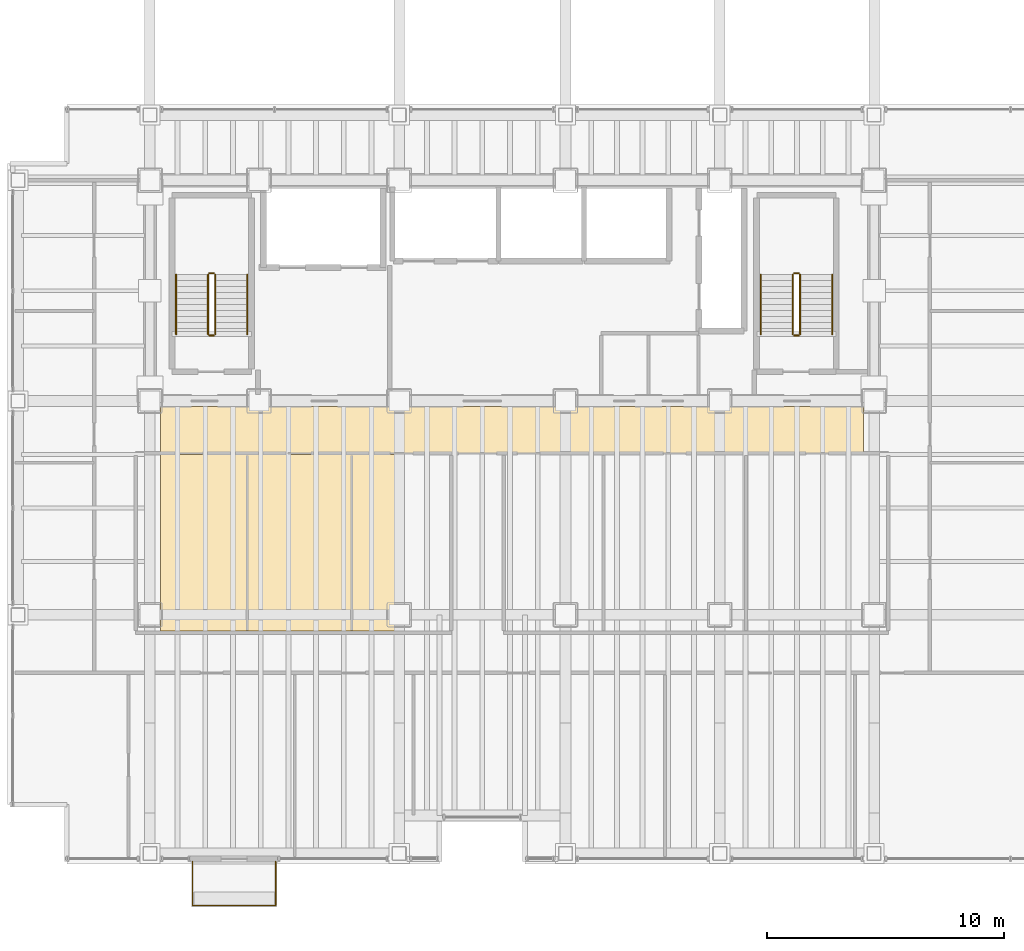
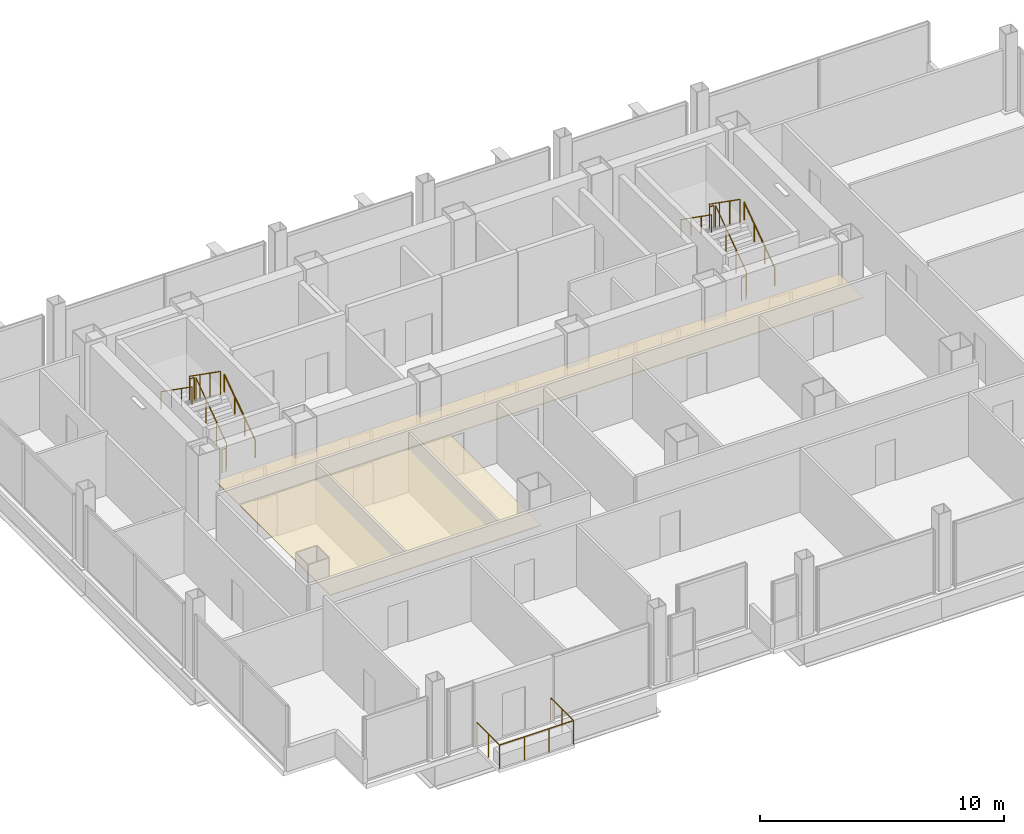
# One storey, part 21 of 21: 13 railings, 2 coverings.
"""IFC4 building model written with IfcOpenShell, lengths in metres."""

from ifc_helpers import new_model, si_unit, direction, frame, origin, origin_2d, place, context, subcontext, project, spatial, polyline, circle, outline, extrude, material, layer, layer_set, type_object, element, save


model = new_model("IFC4")

# Units and contexts
model_context = context("Model", 3, precision=1e-05, world=origin(), true_north=direction((0.0, 1.0)))
body_context = subcontext(model_context, "Body", "Model", "MODEL_VIEW")
ifc_project = project(units=[si_unit("LENGTHUNIT", "METRE"), si_unit("AREAUNIT", "SQUARE_METRE"), si_unit("VOLUMEUNIT", "CUBIC_METRE"), si_unit("PLANEANGLEUNIT", "RADIAN"), si_unit("MASSUNIT", "GRAM", prefix="KILO")], contexts=[model_context])

# Site, building, storey
site_placement = place(None, origin())
site = spatial("IfcSite", under=ifc_project, at=site_placement, CompositionType="ELEMENT")
building_placement = place(site_placement, origin())
building = spatial("IfcBuilding", under=site, at=building_placement, Name="Noeulbin Bourse Tower", CompositionType="ELEMENT")
storey_placement = place(building_placement, frame((0.0, 0.0, 81.10009765625)))
storey = spatial("IfcBuildingStorey", under=building, at=storey_placement, Name="L20", CompositionType="ELEMENT", Elevation=81.10009765625)

# Coverings
ifc_material_1 = material(Name="Perforated Mineral-Fibre Acoustic Tile")
ifc_layer_1 = layer(ifc_material_1, 0.0400390625)
ifc_layer_set_1 = layer_set([ifc_layer_1], Name="Perforated Mineral-Fibre Acoustic Tile")
covering_type = type_object("IfcCoveringType", Name="COV-CEIL-ACT", PredefinedType="CEILING", material=ifc_layer_set_1)
covering_1_placement = place(storey_placement, frame((0.0, 0.0, 2.10986328125)))
element("IfcCovering", 1, at=covering_1_placement, inside=storey, type_object=covering_type, Name="Corridor Suspended Ceiling L20", PredefinedType="CEILING", context=body_context, shape_type="SweptSolid", body=[
    extrude(outline(polyline([(13.949951171875, 26.820068359375), (43.550048828125, 26.820068359375), (43.550048828125, 28.780029296875), (13.949951171875, 28.780029296875), (13.949951171875, 26.820068359375)])), origin(), (0.0, 0.0, 1.0), 0.0400390625),
])
covering_2_placement = place(storey_placement, frame((0.0, 0.0, 2.10986328125)))
element("IfcCovering", 2, at=covering_2_placement, inside=storey, type_object=covering_type, Name="Trading Suite Acoustic Ceiling L20", PredefinedType="CEILING", context=body_context, shape_type="SweptSolid", body=[
    extrude(outline(polyline([(13.949951171875, 19.320068359375), (23.949951171875, 19.320068359375), (23.949951171875, 26.75), (13.949951171875, 26.75), (13.949951171875, 19.320068359375)])), origin(), (0.0, 0.0, 1.0), 0.0400390625),
])

# Railings
ifc_material_2 = material(Name="Laminated SentryGlas and Stainless Steel 316", Category="steel")
ifc_layer_2 = layer(ifc_material_2, 0.06005859375)
ifc_layer_set_2 = layer_set([ifc_layer_2], Name="Laminated SentryGlas and Stainless Steel 316")
railing_type_1 = type_object("IfcRailingType", Name="RLG-BAL-1200", PredefinedType="BALUSTRADE", material=ifc_layer_set_2)
railing_1_placement = place(storey_placement, frame((15.300048828125, 9.6201171875, 0.0)))
element("IfcRailing", 3, at=railing_1_placement, inside=storey, type_object=railing_type_1, Name="Tree-Balcony Glazed Balustrade L20", PredefinedType="BALUSTRADE", context=body_context, shape_type="SweptSolid", body=[
    extrude(circle(Radius=0.02392578125, at=origin_2d()), frame((0.0, 0.0, 1.17578125), z_axis=(0.0, -1.0, 0.0), x_axis=(1.0, 0.0, 0.0)), (0.0, 0.0, 1.0), 1.8701171875),
    extrude(circle(Radius=0.02392578125, at=origin_2d()), frame((0.0, -1.8701171875, 1.17578125), z_axis=(1.0, 0.0, 0.0), x_axis=(0.0, 1.0, 0.0)), (0.0, 0.0, 1.0), 3.5),
    extrude(circle(Radius=0.02392578125, at=origin_2d()), frame((3.5, -1.8701171875, 1.17578125), z_axis=(0.0, 1.0, 0.0), x_axis=(-1.0, 0.0, 0.0)), (0.0, 0.0, 1.0), 1.8701171875),
    extrude(circle(Radius=0.02099609375, at=origin_2d()), origin(), (0.0, 0.0, 1.0), 1.15185546875),
    extrude(circle(Radius=0.02099609375, at=origin_2d()), frame((0.0, -0.93505859375, 0.0)), (0.0, 0.0, 1.0), 1.15185546875),
    extrude(circle(Radius=0.02099609375, at=origin_2d()), frame((0.0, -1.8701171875, 0.0)), (0.0, 0.0, 1.0), 1.15185546875),
    extrude(circle(Radius=0.02099609375, at=origin_2d()), frame((1.166748046875, -1.8701171875, 0.0)), (0.0, 0.0, 1.0), 1.15185546875),
    extrude(circle(Radius=0.02099609375, at=origin_2d()), frame((2.333251953125, -1.8701171875, 0.0)), (0.0, 0.0, 1.0), 1.15185546875),
    extrude(circle(Radius=0.02099609375, at=origin_2d()), frame((3.5, -1.8701171875, 0.0)), (0.0, 0.0, 1.0), 1.15185546875),
    extrude(circle(Radius=0.02099609375, at=origin_2d()), frame((3.5, -0.93505859375, 0.0)), (0.0, 0.0, 1.0), 1.15185546875),
    extrude(circle(Radius=0.02099609375, at=origin_2d()), frame((3.5, 0.0, 0.0)), (0.0, 0.0, 1.0), 1.15185546875),
])
ifc_material_3 = material(Name="Painted Tubular Steel S355", Category="steel")
ifc_layer_3 = layer(ifc_material_3, 0.048095703125)
ifc_layer_set_3 = layer_set([ifc_layer_3], Name="Painted Tubular Steel S355")
railing_type_2 = type_object("IfcRailingType", Name="RLG-STR-GRD", PredefinedType="GUARDRAIL", material=ifc_layer_set_3)
railing_2_placement = place(storey_placement, frame((16.25, 31.81005859375, 0.17724609375)))
element("IfcRailing", 4, at=railing_2_placement, inside=storey, type_object=railing_type_2, Name="L20 ST-1 stair guard 1", PredefinedType="GUARDRAIL", context=body_context, shape_type="SweptSolid", body=[
    extrude(circle(Radius=0.02392578125, at=origin_2d()), frame((0.0, 0.0, 1.17578125), z_axis=(0.0, 0.817904474719, 0.575354039036), x_axis=(-1.0, 0.0, 0.0)), (0.0, 0.0, 1.0), 3.0810546875),
    extrude(circle(Radius=0.02099609375, at=origin_2d()), origin(), (0.0, 0.0, 1.0), 1.15185546875),
    extrude(circle(Radius=0.02099609375, at=origin_2d()), frame((0.0, 0.840087890625, 0.5908203125)), (0.0, 0.0, 1.0), 1.15185546875),
    extrude(circle(Radius=0.02099609375, at=origin_2d()), frame((0.0, 1.679931640625, 1.181884765625)), (0.0, 0.0, 1.0), 1.15185546875),
    extrude(circle(Radius=0.02099609375, at=origin_2d()), frame((0.0, 2.52001953125, 1.772705078125)), (0.0, 0.0, 1.0), 1.15185546875),
])
railing_3_placement = place(storey_placement, frame((16.199951171875, 34.3798828125, 1.949951171875)))
element("IfcRailing", 5, at=railing_3_placement, inside=storey, type_object=railing_type_2, Name="L20 ST-1 stair guard 2", PredefinedType="GUARDRAIL", context=body_context, shape_type="SweptSolid", body=[
    extrude(circle(Radius=0.02392578125, at=origin_2d()), frame((0.0, 0.0, 1.17578125), z_axis=(-1.0, 0.0, 0.0), x_axis=(0.0, -1.0, 0.0)), (0.0, 0.0, 1.0), 0.199951171875),
    extrude(circle(Radius=0.02099609375, at=origin_2d()), origin(), (0.0, 0.0, 1.0), 1.15185546875),
    extrude(circle(Radius=0.02099609375, at=origin_2d()), frame((-0.199951171875, 0.0, 0.0)), (0.0, 0.0, 1.0), 1.15185546875),
])
railing_4_placement = place(storey_placement, frame((15.949951171875, 34.330078125, 2.127197265625)))
element("IfcRailing", 6, at=railing_4_placement, inside=storey, type_object=railing_type_2, Name="L20 ST-1 stair guard 3", PredefinedType="GUARDRAIL", context=body_context, shape_type="SweptSolid", body=[
    extrude(circle(Radius=0.02392578125, at=origin_2d()), frame((0.0, 0.0, 1.17578125), z_axis=(0.0, -0.817904474719, 0.575354039036), x_axis=(1.0, 0.0, 0.0)), (0.0, 0.0, 1.0), 3.0810546875),
    extrude(circle(Radius=0.02099609375, at=origin_2d()), origin(), (0.0, 0.0, 1.0), 1.15185546875),
    extrude(circle(Radius=0.02099609375, at=origin_2d()), frame((0.0, -0.840087890625, 0.5908203125)), (0.0, 0.0, 1.0), 1.15185546875),
    extrude(circle(Radius=0.02099609375, at=origin_2d()), frame((0.0, -1.679931640625, 1.181884765625)), (0.0, 0.0, 1.0), 1.15185546875),
    extrude(circle(Radius=0.02099609375, at=origin_2d()), frame((0.0, -2.52001953125, 1.772705078125)), (0.0, 0.0, 1.0), 1.15185546875),
])
railing_5_placement = place(storey_placement, frame((16.199951171875, 31.760009765625, 0.0)))
element("IfcRailing", 7, at=railing_5_placement, inside=storey, type_object=railing_type_2, Name="L20 ST-1 stair guard 4", PredefinedType="GUARDRAIL", context=body_context, shape_type="SweptSolid", body=[
    extrude(circle(Radius=0.02392578125, at=origin_2d()), frame((0.0, 0.0, 1.17578125), z_axis=(-1.0, 0.0, 0.0), x_axis=(0.0, -1.0, 0.0)), (0.0, 0.0, 1.0), 0.199951171875),
    extrude(circle(Radius=0.02099609375, at=origin_2d()), origin(), (0.0, 0.0, 1.0), 1.15185546875),
    extrude(circle(Radius=0.02099609375, at=origin_2d()), frame((-0.199951171875, 0.0, 0.0)), (0.0, 0.0, 1.0), 1.15185546875),
])
railing_6_placement = place(storey_placement, frame((40.8798828125, 31.81005859375, 0.17724609375)))
element("IfcRailing", 8, at=railing_6_placement, inside=storey, type_object=railing_type_2, Name="L20 ST-2 stair guard 1", PredefinedType="GUARDRAIL", context=body_context, shape_type="SweptSolid", body=[
    extrude(circle(Radius=0.02392578125, at=origin_2d()), frame((0.0, 0.0, 1.17578125), z_axis=(0.0, 0.817904474719, 0.575354039036), x_axis=(-1.0, 0.0, 0.0)), (0.0, 0.0, 1.0), 3.0810546875),
    extrude(circle(Radius=0.02099609375, at=origin_2d()), origin(), (0.0, 0.0, 1.0), 1.15185546875),
    extrude(circle(Radius=0.02099609375, at=origin_2d()), frame((0.0, 0.840087890625, 0.5908203125)), (0.0, 0.0, 1.0), 1.15185546875),
    extrude(circle(Radius=0.02099609375, at=origin_2d()), frame((0.0, 1.679931640625, 1.181884765625)), (0.0, 0.0, 1.0), 1.15185546875),
    extrude(circle(Radius=0.02099609375, at=origin_2d()), frame((0.0, 2.52001953125, 1.772705078125)), (0.0, 0.0, 1.0), 1.15185546875),
])
railing_7_placement = place(storey_placement, frame((40.830078125, 34.3798828125, 1.949951171875)))
element("IfcRailing", 9, at=railing_7_placement, inside=storey, type_object=railing_type_2, Name="L20 ST-2 stair guard 2", PredefinedType="GUARDRAIL", context=body_context, shape_type="SweptSolid", body=[
    extrude(circle(Radius=0.02392578125, at=origin_2d()), frame((0.0, 0.0, 1.17578125), z_axis=(-1.0, 0.0, 0.0), x_axis=(0.0, -1.0, 0.0)), (0.0, 0.0, 1.0), 0.2001953125),
    extrude(circle(Radius=0.02099609375, at=origin_2d()), origin(), (0.0, 0.0, 1.0), 1.15185546875),
    extrude(circle(Radius=0.02099609375, at=origin_2d()), frame((-0.2001953125, 0.0, 0.0)), (0.0, 0.0, 1.0), 1.15185546875),
])
railing_8_placement = place(storey_placement, frame((40.580078125, 34.330078125, 2.127197265625)))
element("IfcRailing", 10, at=railing_8_placement, inside=storey, type_object=railing_type_2, Name="L20 ST-2 stair guard 3", PredefinedType="GUARDRAIL", context=body_context, shape_type="SweptSolid", body=[
    extrude(circle(Radius=0.02392578125, at=origin_2d()), frame((0.0, 0.0, 1.17578125), z_axis=(0.0, -0.817904474719, 0.575354039036), x_axis=(1.0, 0.0, 0.0)), (0.0, 0.0, 1.0), 3.0810546875),
    extrude(circle(Radius=0.02099609375, at=origin_2d()), origin(), (0.0, 0.0, 1.0), 1.15185546875),
    extrude(circle(Radius=0.02099609375, at=origin_2d()), frame((0.0, -0.840087890625, 0.5908203125)), (0.0, 0.0, 1.0), 1.15185546875),
    extrude(circle(Radius=0.02099609375, at=origin_2d()), frame((0.0, -1.679931640625, 1.181884765625)), (0.0, 0.0, 1.0), 1.15185546875),
    extrude(circle(Radius=0.02099609375, at=origin_2d()), frame((0.0, -2.52001953125, 1.772705078125)), (0.0, 0.0, 1.0), 1.15185546875),
])
railing_9_placement = place(storey_placement, frame((40.830078125, 31.760009765625, 0.0)))
element("IfcRailing", 11, at=railing_9_placement, inside=storey, type_object=railing_type_2, Name="L20 ST-2 stair guard 4", PredefinedType="GUARDRAIL", context=body_context, shape_type="SweptSolid", body=[
    extrude(circle(Radius=0.02392578125, at=origin_2d()), frame((0.0, 0.0, 1.17578125), z_axis=(-1.0, 0.0, 0.0), x_axis=(0.0, -1.0, 0.0)), (0.0, 0.0, 1.0), 0.2001953125),
    extrude(circle(Radius=0.02099609375, at=origin_2d()), origin(), (0.0, 0.0, 1.0), 1.15185546875),
    extrude(circle(Radius=0.02099609375, at=origin_2d()), frame((-0.2001953125, 0.0, 0.0)), (0.0, 0.0, 1.0), 1.15185546875),
])
ifc_material_4 = material(Name="Brushed Stainless Steel 316", Category="steel")
ifc_layer_4 = layer(ifc_material_4, 0.048095703125)
ifc_layer_set_4 = layer_set([ifc_layer_4], Name="Brushed Stainless Steel 316")
railing_type_3 = type_object("IfcRailingType", Name="RLG-STR-HND", PredefinedType="HANDRAIL", material=ifc_layer_set_4)
railing_10_placement = place(storey_placement, frame((17.60009765625, 31.81005859375, 0.17724609375)))
element("IfcRailing", 12, at=railing_10_placement, inside=storey, type_object=railing_type_3, Name="L20 ST-1 stair handrail 1", PredefinedType="HANDRAIL", context=body_context, shape_type="SweptSolid", body=[
    extrude(circle(Radius=0.02392578125, at=origin_2d()), frame((0.0, 0.0, 0.8759765625), z_axis=(0.0, 0.817904474719, 0.575354039036), x_axis=(-1.0, 0.0, 0.0)), (0.0, 0.0, 1.0), 3.0810546875),
    extrude(circle(Radius=0.02099609375, at=origin_2d()), origin(), (0.0, 0.0, 1.0), 0.851806640625),
    extrude(circle(Radius=0.02099609375, at=origin_2d()), frame((0.0, 0.840087890625, 0.5908203125)), (0.0, 0.0, 1.0), 0.851806640625),
    extrude(circle(Radius=0.02099609375, at=origin_2d()), frame((0.0, 1.679931640625, 1.181884765625)), (0.0, 0.0, 1.0), 0.851806640625),
    extrude(circle(Radius=0.02099609375, at=origin_2d()), frame((0.0, 2.52001953125, 1.772705078125)), (0.0, 0.0, 1.0), 0.851806640625),
])
railing_11_placement = place(storey_placement, frame((14.60009765625, 34.330078125, 2.127197265625)))
element("IfcRailing", 13, at=railing_11_placement, inside=storey, type_object=railing_type_3, Name="L20 ST-1 stair handrail 2", PredefinedType="HANDRAIL", context=body_context, shape_type="SweptSolid", body=[
    extrude(circle(Radius=0.02392578125, at=origin_2d()), frame((0.0, 0.0, 0.8759765625), z_axis=(0.0, -0.817904474719, 0.575354039036), x_axis=(1.0, 0.0, 0.0)), (0.0, 0.0, 1.0), 3.0810546875),
    extrude(circle(Radius=0.02099609375, at=origin_2d()), origin(), (0.0, 0.0, 1.0), 0.851806640625),
    extrude(circle(Radius=0.02099609375, at=origin_2d()), frame((0.0, -0.840087890625, 0.5908203125)), (0.0, 0.0, 1.0), 0.851806640625),
    extrude(circle(Radius=0.02099609375, at=origin_2d()), frame((0.0, -1.679931640625, 1.181884765625)), (0.0, 0.0, 1.0), 0.851806640625),
    extrude(circle(Radius=0.02099609375, at=origin_2d()), frame((0.0, -2.52001953125, 1.772705078125)), (0.0, 0.0, 1.0), 0.851806640625),
])
railing_12_placement = place(storey_placement, frame((42.22998046875, 31.81005859375, 0.17724609375)))
element("IfcRailing", 14, at=railing_12_placement, inside=storey, type_object=railing_type_3, Name="L20 ST-2 stair handrail 1", PredefinedType="HANDRAIL", context=body_context, shape_type="SweptSolid", body=[
    extrude(circle(Radius=0.02392578125, at=origin_2d()), frame((0.0, 0.0, 0.8759765625), z_axis=(0.0, 0.817904474719, 0.575354039036), x_axis=(-1.0, 0.0, 0.0)), (0.0, 0.0, 1.0), 3.0810546875),
    extrude(circle(Radius=0.02099609375, at=origin_2d()), origin(), (0.0, 0.0, 1.0), 0.851806640625),
    extrude(circle(Radius=0.02099609375, at=origin_2d()), frame((0.0, 0.840087890625, 0.5908203125)), (0.0, 0.0, 1.0), 0.851806640625),
    extrude(circle(Radius=0.02099609375, at=origin_2d()), frame((0.0, 1.679931640625, 1.181884765625)), (0.0, 0.0, 1.0), 0.851806640625),
    extrude(circle(Radius=0.02099609375, at=origin_2d()), frame((0.0, 2.52001953125, 1.772705078125)), (0.0, 0.0, 1.0), 0.851806640625),
])
railing_13_placement = place(storey_placement, frame((39.22998046875, 34.330078125, 2.127197265625)))
element("IfcRailing", 15, at=railing_13_placement, inside=storey, type_object=railing_type_3, Name="L20 ST-2 stair handrail 2", PredefinedType="HANDRAIL", context=body_context, shape_type="SweptSolid", body=[
    extrude(circle(Radius=0.02392578125, at=origin_2d()), frame((0.0, 0.0, 0.8759765625), z_axis=(0.0, -0.817904474719, 0.575354039036), x_axis=(1.0, 0.0, 0.0)), (0.0, 0.0, 1.0), 3.0810546875),
    extrude(circle(Radius=0.02099609375, at=origin_2d()), origin(), (0.0, 0.0, 1.0), 0.851806640625),
    extrude(circle(Radius=0.02099609375, at=origin_2d()), frame((0.0, -0.840087890625, 0.5908203125)), (0.0, 0.0, 1.0), 0.851806640625),
    extrude(circle(Radius=0.02099609375, at=origin_2d()), frame((0.0, -1.679931640625, 1.181884765625)), (0.0, 0.0, 1.0), 0.851806640625),
    extrude(circle(Radius=0.02099609375, at=origin_2d()), frame((0.0, -2.52001953125, 1.772705078125)), (0.0, 0.0, 1.0), 0.851806640625),
])

save(model, "model.ifc")
